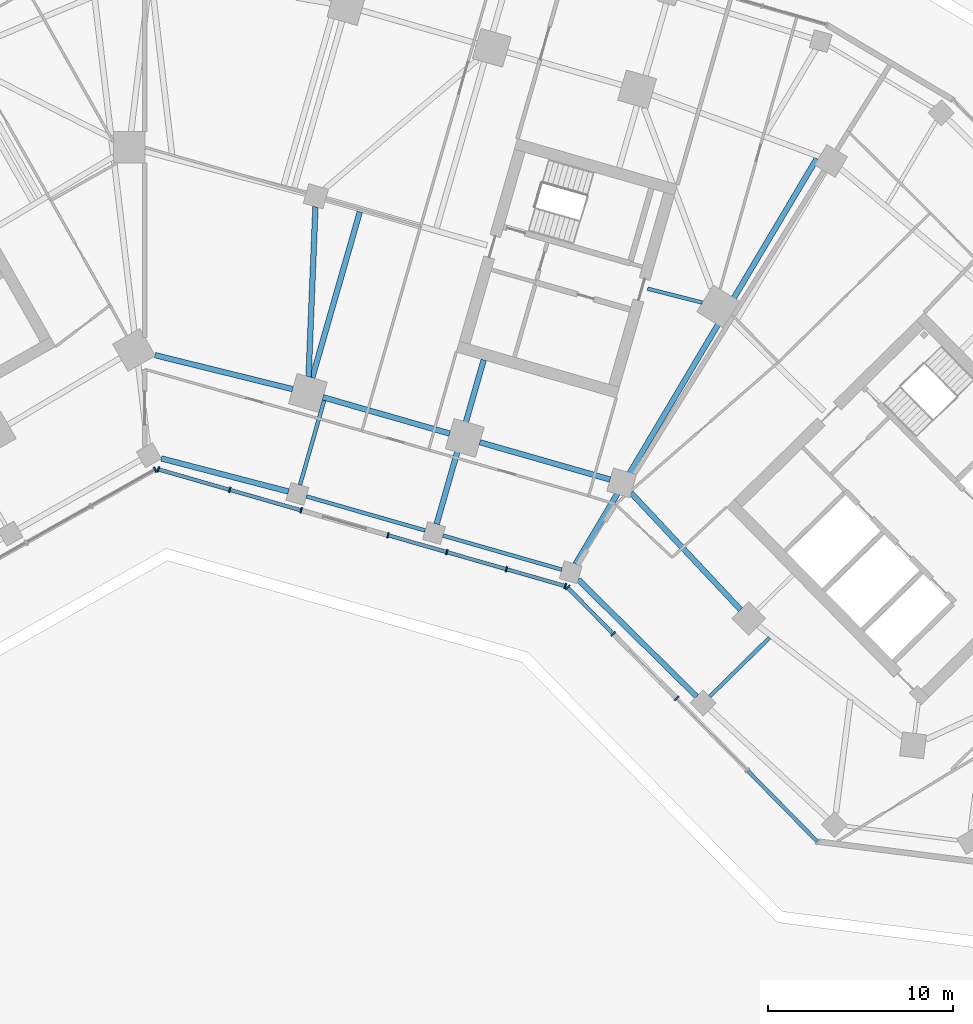
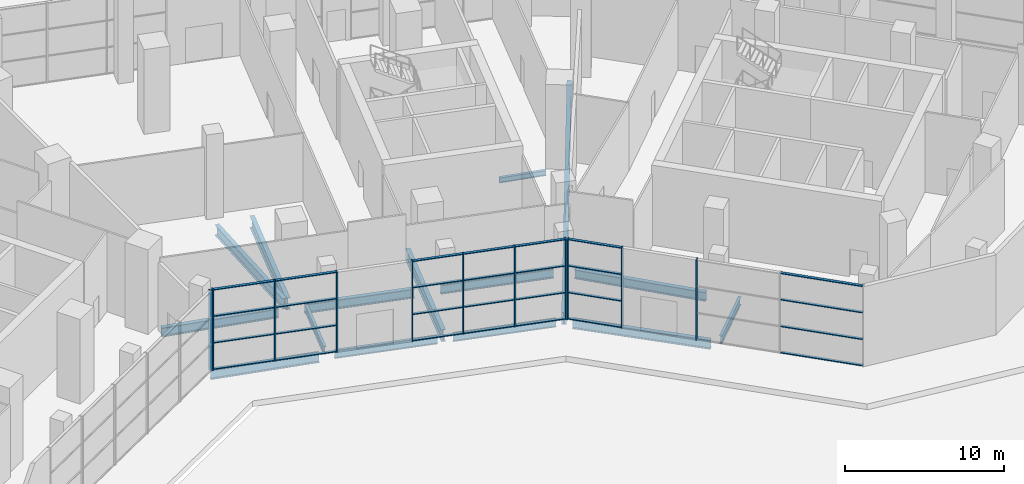
# One storey, part 6 of 22: 39 members, 15 beams, 5 elements without a shape of their own.
"""IFC4 building model written with IfcOpenShell, lengths in metres."""

from ifc_helpers import new_model, si_unit, direction, frame, origin, origin_2d, place, context, subcontext, project, spatial, rectangle, i_section, extrude, material, material_profile, profile_set, type_object, element, aggregate, save


model = new_model("IFC4")

# Units and contexts
model_context = context("Model", 3, precision=1e-05, world=origin(), true_north=direction((0.0, 1.0)))
body_context = subcontext(model_context, "Body", "Model", "MODEL_VIEW")
ifc_project = project(units=[si_unit("LENGTHUNIT", "METRE"), si_unit("AREAUNIT", "SQUARE_METRE"), si_unit("VOLUMEUNIT", "CUBIC_METRE"), si_unit("PLANEANGLEUNIT", "RADIAN"), si_unit("MASSUNIT", "GRAM", prefix="KILO")], contexts=[model_context])

# Site, building, storey
site_placement = place(None, origin())
site = spatial("IfcSite", under=ifc_project, at=site_placement, CompositionType="ELEMENT")
building_placement = place(site_placement, origin())
building = spatial("IfcBuilding", under=site, at=building_placement, Name="Binnacle Exchange Tower", CompositionType="ELEMENT")
storey_placement = place(building_placement, origin())
storey = spatial("IfcBuildingStorey", under=building, at=storey_placement, Name="L00", CompositionType="ELEMENT", Elevation=0.0)

# Curtain wall, member
ifc_material_1 = material(Name="Bronze anodised aluminium frame", Category="aluminium")
curtain_wall_type = type_object("IfcCurtainWallType", Name="External wall - curtain wall waterfront lobby", PredefinedType="NOTDEFINED", material=ifc_material_1)
curtain_wall_1_placement = place(storey_placement, origin())
curtain_wall_1 = element("IfcCurtainWall", 1, at=curtain_wall_1_placement, inside=storey, type_object=curtain_wall_type, Name="External wall curtain wall CW1-P06-3 L00", PredefinedType="NOTDEFINED")
ifc_material_profile_1 = material_profile(ifc_material_1, rectangle(XDim=0.300048828125, YDim=0.080078125, at=origin_2d()), Name="AL 80x300")
ifc_profile_set_1 = profile_set([ifc_material_profile_1], Name="Bronze anodised aluminium frame")
member_type_1 = type_object("IfcMemberType", Name="CW1 MULLION 80x300", PredefinedType="MULLION", material=ifc_profile_set_1)
member_1_placement = place(storey_placement, frame((0.556884765625, 42.5703125, 0.0), z_axis=(0.0, 0.0, 1.0), x_axis=(-0.492423763004, 0.870355581144, 0.0)))
member_1 = element("IfcMember", 2, at=member_1_placement, type_object=member_type_1, Name="CW1-P06-3 mullion 6", PredefinedType="MULLION", context=body_context, shape_type="SweptSolid", body=[
    extrude(rectangle(XDim=0.300048828125, YDim=0.080078125, at=origin_2d()), origin(), (0.0, 0.0, 1.0), 6.14990234375),
])
aggregate(curtain_wall_1, [member_1])

# Curtain wall, members
curtain_wall_2_placement = place(storey_placement, origin())
curtain_wall_2 = element("IfcCurtainWall", 3, at=curtain_wall_2_placement, inside=storey, type_object=curtain_wall_type, Name="External wall curtain wall CW1-P07-1 L00", PredefinedType="NOTDEFINED")
member_2_placement = place(storey_placement, frame((0.72607421875, 42.59033203125, 0.0), z_axis=(0.0, 0.0, 1.0), x_axis=(0.275636946471, 0.961261813316, 0.0)))
member_2 = element("IfcMember", 4, at=member_2_placement, type_object=member_type_1, Name="CW1-P07-1 mullion 1", PredefinedType="MULLION", context=body_context, shape_type="SweptSolid", body=[
    extrude(rectangle(XDim=0.300048828125, YDim=0.080078125, at=origin_2d()), origin(), (0.0, 0.0, 1.0), 6.14990234375),
])
member_3_placement = place(storey_placement, frame((4.586181640625, 41.4833984375, 0.0), z_axis=(0.0, 0.0, 1.0), x_axis=(0.275636946471, 0.961261813316, 0.0)))
member_3 = element("IfcMember", 5, at=member_3_placement, type_object=member_type_1, Name="CW1-P07-1 mullion 2", PredefinedType="MULLION", context=body_context, shape_type="SweptSolid", body=[
    extrude(rectangle(XDim=0.300048828125, YDim=0.080078125, at=origin_2d()), origin(), (0.0, 0.0, 1.0), 6.14990234375),
])
member_4_placement = place(storey_placement, frame((8.4462890625, 40.376708984375, 0.0), z_axis=(0.0, 0.0, 1.0), x_axis=(0.275636946471, 0.961261813316, 0.0)))
member_4 = element("IfcMember", 6, at=member_4_placement, type_object=member_type_1, Name="CW1-P07-1 mullion 3", PredefinedType="MULLION", context=body_context, shape_type="SweptSolid", body=[
    extrude(rectangle(XDim=0.300048828125, YDim=0.080078125, at=origin_2d()), origin(), (0.0, 0.0, 1.0), 6.14990234375),
])

curtain_wall_3_placement = place(storey_placement, origin())
curtain_wall_3 = element("IfcCurtainWall", 7, at=curtain_wall_3_placement, inside=storey, type_object=curtain_wall_type, Name="External wall curtain wall CW1-P07-2 L00", PredefinedType="NOTDEFINED")
member_5_placement = place(storey_placement, frame((13.13720703125, 39.031494140625, 0.0), z_axis=(0.0, 0.0, 1.0), x_axis=(0.275636946437, 0.961261813326, 0.0)))
member_5 = element("IfcMember", 8, at=member_5_placement, type_object=member_type_1, Name="CW1-P07-2 mullion 1", PredefinedType="MULLION", context=body_context, shape_type="SweptSolid", body=[
    extrude(rectangle(XDim=0.300048828125, YDim=0.080078125, at=origin_2d()), origin(), (0.0, 0.0, 1.0), 6.14990234375),
])
member_6_placement = place(storey_placement, frame((16.319580078125, 38.118896484375, 0.0), z_axis=(0.0, 0.0, 1.0), x_axis=(0.275636946437, 0.961261813326, 0.0)))
member_6 = element("IfcMember", 9, at=member_6_placement, type_object=member_type_1, Name="CW1-P07-2 mullion 2", PredefinedType="MULLION", context=body_context, shape_type="SweptSolid", body=[
    extrude(rectangle(XDim=0.300048828125, YDim=0.080078125, at=origin_2d()), origin(), (0.0, 0.0, 1.0), 6.14990234375),
])
member_7_placement = place(storey_placement, frame((19.540283203125, 37.195556640625, 0.0), z_axis=(0.0, 0.0, 1.0), x_axis=(0.275636946437, 0.961261813326, 0.0)))
member_7 = element("IfcMember", 10, at=member_7_placement, type_object=member_type_1, Name="CW1-P07-2 mullion 3", PredefinedType="MULLION", context=body_context, shape_type="SweptSolid", body=[
    extrude(rectangle(XDim=0.300048828125, YDim=0.080078125, at=origin_2d()), origin(), (0.0, 0.0, 1.0), 6.14990234375),
])
member_8_placement = place(storey_placement, frame((22.722412109375, 36.282958984375, 0.0), z_axis=(0.0, 0.0, 1.0), x_axis=(0.275636946437, 0.961261813326, 0.0)))
member_8 = element("IfcMember", 11, at=member_8_placement, type_object=member_type_1, Name="CW1-P07-2 mullion 4", PredefinedType="MULLION", context=body_context, shape_type="SweptSolid", body=[
    extrude(rectangle(XDim=0.300048828125, YDim=0.080078125, at=origin_2d()), origin(), (0.0, 0.0, 1.0), 6.14990234375),
])

curtain_wall_4_placement = place(storey_placement, origin())
curtain_wall_4 = element("IfcCurtainWall", 12, at=curtain_wall_4_placement, inside=storey, type_object=curtain_wall_type, Name="External wall curtain wall CW1-P08-1 L00", PredefinedType="NOTDEFINED")
member_9_placement = place(storey_placement, frame((22.843505859375, 36.210693359375, 0.0), z_axis=(0.0, 0.0, 1.0), x_axis=(0.713250360562, 0.700909354452, 0.0)))
member_9 = element("IfcMember", 13, at=member_9_placement, type_object=member_type_1, Name="CW1-P08-1 mullion 1", PredefinedType="MULLION", context=body_context, shape_type="SweptSolid", body=[
    extrude(rectangle(XDim=0.300048828125, YDim=0.080078125, at=origin_2d()), origin(), (0.0, 0.0, 1.0), 6.14990234375),
])
member_10_placement = place(storey_placement, frame((25.31591796875, 33.695068359375, 0.0), z_axis=(0.0, 0.0, 1.0), x_axis=(0.713250360562, 0.700909354452, 0.0)))
member_10 = element("IfcMember", 14, at=member_10_placement, type_object=member_type_1, Name="CW1-P08-1 mullion 2", PredefinedType="MULLION", context=body_context, shape_type="SweptSolid", body=[
    extrude(rectangle(XDim=0.300048828125, YDim=0.080078125, at=origin_2d()), origin(), (0.0, 0.0, 1.0), 6.14990234375),
])

# Curtain wall, member
curtain_wall_5_placement = place(storey_placement, origin())
curtain_wall_5 = element("IfcCurtainWall", 15, at=curtain_wall_5_placement, inside=storey, type_object=curtain_wall_type, Name="External wall curtain wall CW1-P08-2 L00", PredefinedType="NOTDEFINED")
member_11_placement = place(storey_placement, frame((28.736328125, 30.21435546875, 0.0), z_axis=(0.0, 0.0, 1.0), x_axis=(0.713250360635, 0.700909354378, 0.0)))
member_11 = element("IfcMember", 16, at=member_11_placement, type_object=member_type_1, Name="CW1-P08-2 mullion 1", PredefinedType="MULLION", context=body_context, shape_type="SweptSolid", body=[
    extrude(rectangle(XDim=0.300048828125, YDim=0.080078125, at=origin_2d()), origin(), (0.0, 0.0, 1.0), 6.14990234375),
])

# Member
ifc_material_profile_2 = material_profile(ifc_material_1, rectangle(XDim=0.199951171875, YDim=0.06005859375, at=origin_2d()), Name="AL 200x60")
ifc_profile_set_2 = profile_set([ifc_material_profile_2], Name="Bronze anodised aluminium frame")
member_type_2 = type_object("IfcMemberType", Name="CW1 TRANSOM 60x200", PredefinedType="USERDEFINED", material=ifc_profile_set_2)
member_12_placement = place(storey_placement, frame((0.7646484375, 42.579345703125, 0.030029296875), z_axis=(0.961251940506, -0.275671374781, 0.0), x_axis=(0.275671374781, 0.961251940506, 0.0)))
member_12 = element("IfcMember", 17, at=member_12_placement, type_object=member_type_2, Name="CW1-P07-1 transom 1.1", ObjectType="TRANSOM", PredefinedType="USERDEFINED", context=body_context, shape_type="SweptSolid", body=[
    extrude(rectangle(XDim=0.199951171875, YDim=0.06005859375, at=origin_2d()), origin(), (0.0, 0.0, 1.0), 3.935791015625),
])

member_13_placement = place(storey_placement, frame((0.7646484375, 42.579345703125, 2.050048828125), z_axis=(0.961251940506, -0.275671374781, 0.0), x_axis=(0.275671374781, 0.961251940506, 0.0)))
member_13 = element("IfcMember", 18, at=member_13_placement, type_object=member_type_2, Name="CW1-P07-1 transom 1.2", ObjectType="TRANSOM", PredefinedType="USERDEFINED", context=body_context, shape_type="SweptSolid", body=[
    extrude(rectangle(XDim=0.199951171875, YDim=0.06005859375, at=origin_2d()), origin(), (0.0, 0.0, 1.0), 3.935791015625),
])

member_14_placement = place(storey_placement, frame((0.7646484375, 42.579345703125, 4.10009765625), z_axis=(0.961251940506, -0.275671374781, 0.0), x_axis=(0.275671374781, 0.961251940506, 0.0)))
member_14 = element("IfcMember", 19, at=member_14_placement, type_object=member_type_2, Name="CW1-P07-1 transom 1.3", ObjectType="TRANSOM", PredefinedType="USERDEFINED", context=body_context, shape_type="SweptSolid", body=[
    extrude(rectangle(XDim=0.199951171875, YDim=0.06005859375, at=origin_2d()), origin(), (0.0, 0.0, 1.0), 3.935791015625),
])

member_15_placement = place(storey_placement, frame((0.7646484375, 42.579345703125, 6.1201171875), z_axis=(0.961251940506, -0.275671374781, 0.0), x_axis=(0.275671374781, 0.961251940506, 0.0)))
member_15 = element("IfcMember", 20, at=member_15_placement, type_object=member_type_2, Name="CW1-P07-1 transom 1.4", ObjectType="TRANSOM", PredefinedType="USERDEFINED", context=body_context, shape_type="SweptSolid", body=[
    extrude(rectangle(XDim=0.199951171875, YDim=0.06005859375, at=origin_2d()), origin(), (0.0, 0.0, 1.0), 3.935791015625),
])

member_16_placement = place(storey_placement, frame((4.624755859375, 41.472412109375, 0.030029296875), z_axis=(0.961268376985, -0.275614055172, 0.0), x_axis=(0.275614055172, 0.961268376985, 0.0)))
member_16 = element("IfcMember", 21, at=member_16_placement, type_object=member_type_2, Name="CW1-P07-1 transom 2.1", ObjectType="TRANSOM", PredefinedType="USERDEFINED", context=body_context, shape_type="SweptSolid", body=[
    extrude(rectangle(XDim=0.199951171875, YDim=0.06005859375, at=origin_2d()), origin(), (0.0, 0.0, 1.0), 3.935546875),
])

member_17_placement = place(storey_placement, frame((4.624755859375, 41.472412109375, 2.050048828125), z_axis=(0.961268376985, -0.275614055172, 0.0), x_axis=(0.275614055172, 0.961268376985, 0.0)))
member_17 = element("IfcMember", 22, at=member_17_placement, type_object=member_type_2, Name="CW1-P07-1 transom 2.2", ObjectType="TRANSOM", PredefinedType="USERDEFINED", context=body_context, shape_type="SweptSolid", body=[
    extrude(rectangle(XDim=0.199951171875, YDim=0.06005859375, at=origin_2d()), origin(), (0.0, 0.0, 1.0), 3.935546875),
])

member_18_placement = place(storey_placement, frame((4.624755859375, 41.472412109375, 4.10009765625), z_axis=(0.961268376985, -0.275614055172, 0.0), x_axis=(0.275614055172, 0.961268376985, 0.0)))
member_18 = element("IfcMember", 23, at=member_18_placement, type_object=member_type_2, Name="CW1-P07-1 transom 2.3", ObjectType="TRANSOM", PredefinedType="USERDEFINED", context=body_context, shape_type="SweptSolid", body=[
    extrude(rectangle(XDim=0.199951171875, YDim=0.06005859375, at=origin_2d()), origin(), (0.0, 0.0, 1.0), 3.935546875),
])

member_19_placement = place(storey_placement, frame((4.624755859375, 41.472412109375, 6.1201171875), z_axis=(0.961268376985, -0.275614055172, 0.0), x_axis=(0.275614055172, 0.961268376985, 0.0)))
member_19 = element("IfcMember", 24, at=member_19_placement, type_object=member_type_2, Name="CW1-P07-1 transom 2.4", ObjectType="TRANSOM", PredefinedType="USERDEFINED", context=body_context, shape_type="SweptSolid", body=[
    extrude(rectangle(XDim=0.199951171875, YDim=0.06005859375, at=origin_2d()), origin(), (0.0, 0.0, 1.0), 3.935546875),
])

aggregate(curtain_wall_2, [member_2, member_3, member_4, member_12, member_13, member_14, member_15, member_16, member_17, member_18, member_19])

member_20_placement = place(storey_placement, frame((13.17578125, 39.0205078125, 0.030029296875), z_axis=(0.961263989982, -0.27562935541, 0.0), x_axis=(0.27562935541, 0.961263989982, 0.0)))
member_20 = element("IfcMember", 25, at=member_20_placement, type_object=member_type_2, Name="CW1-P07-2 transom 1.1", ObjectType="TRANSOM", PredefinedType="USERDEFINED", context=body_context, shape_type="SweptSolid", body=[
    extrude(rectangle(XDim=0.199951171875, YDim=0.06005859375, at=origin_2d()), origin(), (0.0, 0.0, 1.0), 3.23046875),
])

member_21_placement = place(storey_placement, frame((13.17578125, 39.0205078125, 2.050048828125), z_axis=(0.961263989982, -0.27562935541, 0.0), x_axis=(0.27562935541, 0.961263989982, 0.0)))
member_21 = element("IfcMember", 26, at=member_21_placement, type_object=member_type_2, Name="CW1-P07-2 transom 1.2", ObjectType="TRANSOM", PredefinedType="USERDEFINED", context=body_context, shape_type="SweptSolid", body=[
    extrude(rectangle(XDim=0.199951171875, YDim=0.06005859375, at=origin_2d()), origin(), (0.0, 0.0, 1.0), 3.23046875),
])

member_22_placement = place(storey_placement, frame((13.17578125, 39.0205078125, 4.10009765625), z_axis=(0.961263989982, -0.27562935541, 0.0), x_axis=(0.27562935541, 0.961263989982, 0.0)))
member_22 = element("IfcMember", 27, at=member_22_placement, type_object=member_type_2, Name="CW1-P07-2 transom 1.3", ObjectType="TRANSOM", PredefinedType="USERDEFINED", context=body_context, shape_type="SweptSolid", body=[
    extrude(rectangle(XDim=0.199951171875, YDim=0.06005859375, at=origin_2d()), origin(), (0.0, 0.0, 1.0), 3.23046875),
])

member_23_placement = place(storey_placement, frame((13.17578125, 39.0205078125, 6.1201171875), z_axis=(0.961263989982, -0.27562935541, 0.0), x_axis=(0.27562935541, 0.961263989982, 0.0)))
member_23 = element("IfcMember", 28, at=member_23_placement, type_object=member_type_2, Name="CW1-P07-2 transom 1.4", ObjectType="TRANSOM", PredefinedType="USERDEFINED", context=body_context, shape_type="SweptSolid", body=[
    extrude(rectangle(XDim=0.199951171875, YDim=0.06005859375, at=origin_2d()), origin(), (0.0, 0.0, 1.0), 3.23046875),
])

member_24_placement = place(storey_placement, frame((16.35791015625, 38.10791015625, 0.030029296875), z_axis=(0.961270009372, -0.275608361777, 0.0), x_axis=(0.275608361777, 0.961270009372, 0.0)))
member_24 = element("IfcMember", 29, at=member_24_placement, type_object=member_type_2, Name="CW1-P07-2 transom 2.1", ObjectType="TRANSOM", PredefinedType="USERDEFINED", context=body_context, shape_type="SweptSolid", body=[
    extrude(rectangle(XDim=0.199951171875, YDim=0.06005859375, at=origin_2d()), origin(), (0.0, 0.0, 1.0), 3.2705078125),
])

member_25_placement = place(storey_placement, frame((16.35791015625, 38.10791015625, 2.050048828125), z_axis=(0.961270009372, -0.275608361777, 0.0), x_axis=(0.275608361777, 0.961270009372, 0.0)))
member_25 = element("IfcMember", 30, at=member_25_placement, type_object=member_type_2, Name="CW1-P07-2 transom 2.2", ObjectType="TRANSOM", PredefinedType="USERDEFINED", context=body_context, shape_type="SweptSolid", body=[
    extrude(rectangle(XDim=0.199951171875, YDim=0.06005859375, at=origin_2d()), origin(), (0.0, 0.0, 1.0), 3.2705078125),
])

member_26_placement = place(storey_placement, frame((16.35791015625, 38.10791015625, 4.10009765625), z_axis=(0.961270009372, -0.275608361777, 0.0), x_axis=(0.275608361777, 0.961270009372, 0.0)))
member_26 = element("IfcMember", 31, at=member_26_placement, type_object=member_type_2, Name="CW1-P07-2 transom 2.3", ObjectType="TRANSOM", PredefinedType="USERDEFINED", context=body_context, shape_type="SweptSolid", body=[
    extrude(rectangle(XDim=0.199951171875, YDim=0.06005859375, at=origin_2d()), origin(), (0.0, 0.0, 1.0), 3.2705078125),
])

member_27_placement = place(storey_placement, frame((16.35791015625, 38.10791015625, 6.1201171875), z_axis=(0.961270009372, -0.275608361777, 0.0), x_axis=(0.275608361777, 0.961270009372, 0.0)))
member_27 = element("IfcMember", 32, at=member_27_placement, type_object=member_type_2, Name="CW1-P07-2 transom 2.4", ObjectType="TRANSOM", PredefinedType="USERDEFINED", context=body_context, shape_type="SweptSolid", body=[
    extrude(rectangle(XDim=0.199951171875, YDim=0.06005859375, at=origin_2d()), origin(), (0.0, 0.0, 1.0), 3.2705078125),
])

member_28_placement = place(storey_placement, frame((19.57861328125, 37.1845703125, 0.030029296875), z_axis=(0.961249707405, -0.275679161369, 0.0), x_axis=(0.275679161369, 0.961249707405, 0.0)))
member_28 = element("IfcMember", 33, at=member_28_placement, type_object=member_type_2, Name="CW1-P07-2 transom 3.1", ObjectType="TRANSOM", PredefinedType="USERDEFINED", context=body_context, shape_type="SweptSolid", body=[
    extrude(rectangle(XDim=0.199951171875, YDim=0.06005859375, at=origin_2d()), origin(), (0.0, 0.0, 1.0), 3.230712890625),
])

member_29_placement = place(storey_placement, frame((19.57861328125, 37.1845703125, 2.050048828125), z_axis=(0.961249707405, -0.275679161369, 0.0), x_axis=(0.275679161369, 0.961249707405, 0.0)))
member_29 = element("IfcMember", 34, at=member_29_placement, type_object=member_type_2, Name="CW1-P07-2 transom 3.2", ObjectType="TRANSOM", PredefinedType="USERDEFINED", context=body_context, shape_type="SweptSolid", body=[
    extrude(rectangle(XDim=0.199951171875, YDim=0.06005859375, at=origin_2d()), origin(), (0.0, 0.0, 1.0), 3.230712890625),
])

member_30_placement = place(storey_placement, frame((19.57861328125, 37.1845703125, 4.10009765625), z_axis=(0.961249707405, -0.275679161369, 0.0), x_axis=(0.275679161369, 0.961249707405, 0.0)))
member_30 = element("IfcMember", 35, at=member_30_placement, type_object=member_type_2, Name="CW1-P07-2 transom 3.3", ObjectType="TRANSOM", PredefinedType="USERDEFINED", context=body_context, shape_type="SweptSolid", body=[
    extrude(rectangle(XDim=0.199951171875, YDim=0.06005859375, at=origin_2d()), origin(), (0.0, 0.0, 1.0), 3.230712890625),
])

member_31_placement = place(storey_placement, frame((19.57861328125, 37.1845703125, 6.1201171875), z_axis=(0.961249707405, -0.275679161369, 0.0), x_axis=(0.275679161369, 0.961249707405, 0.0)))
member_31 = element("IfcMember", 36, at=member_31_placement, type_object=member_type_2, Name="CW1-P07-2 transom 3.4", ObjectType="TRANSOM", PredefinedType="USERDEFINED", context=body_context, shape_type="SweptSolid", body=[
    extrude(rectangle(XDim=0.199951171875, YDim=0.06005859375, at=origin_2d()), origin(), (0.0, 0.0, 1.0), 3.230712890625),
])

aggregate(curtain_wall_3, [member_5, member_6, member_7, member_8, member_20, member_21, member_22, member_23, member_24, member_25, member_26, member_27, member_28, member_29, member_30, member_31])

member_32_placement = place(storey_placement, frame((22.87158203125, 36.182373046875, 0.030029296875), z_axis=(0.700918482647, -0.713241390193, 0.0), x_axis=(0.713241390193, 0.700918482647, 0.0)))
member_32 = element("IfcMember", 37, at=member_32_placement, type_object=member_type_2, Name="CW1-P08-1 transom 1.1", ObjectType="TRANSOM", PredefinedType="USERDEFINED", context=body_context, shape_type="SweptSolid", body=[
    extrude(rectangle(XDim=0.199951171875, YDim=0.06005859375, at=origin_2d()), origin(), (0.0, 0.0, 1.0), 3.447265625),
])

member_33_placement = place(storey_placement, frame((22.87158203125, 36.182373046875, 2.050048828125), z_axis=(0.700918482647, -0.713241390193, 0.0), x_axis=(0.713241390193, 0.700918482647, 0.0)))
member_33 = element("IfcMember", 38, at=member_33_placement, type_object=member_type_2, Name="CW1-P08-1 transom 1.2", ObjectType="TRANSOM", PredefinedType="USERDEFINED", context=body_context, shape_type="SweptSolid", body=[
    extrude(rectangle(XDim=0.199951171875, YDim=0.06005859375, at=origin_2d()), origin(), (0.0, 0.0, 1.0), 3.447265625),
])

member_34_placement = place(storey_placement, frame((22.87158203125, 36.182373046875, 4.10009765625), z_axis=(0.700918482647, -0.713241390193, 0.0), x_axis=(0.713241390193, 0.700918482647, 0.0)))
member_34 = element("IfcMember", 39, at=member_34_placement, type_object=member_type_2, Name="CW1-P08-1 transom 1.3", ObjectType="TRANSOM", PredefinedType="USERDEFINED", context=body_context, shape_type="SweptSolid", body=[
    extrude(rectangle(XDim=0.199951171875, YDim=0.06005859375, at=origin_2d()), origin(), (0.0, 0.0, 1.0), 3.447265625),
])

member_35_placement = place(storey_placement, frame((22.87158203125, 36.182373046875, 6.1201171875), z_axis=(0.700918482647, -0.713241390193, 0.0), x_axis=(0.713241390193, 0.700918482647, 0.0)))
member_35 = element("IfcMember", 40, at=member_35_placement, type_object=member_type_2, Name="CW1-P08-1 transom 1.4", ObjectType="TRANSOM", PredefinedType="USERDEFINED", context=body_context, shape_type="SweptSolid", body=[
    extrude(rectangle(XDim=0.199951171875, YDim=0.06005859375, at=origin_2d()), origin(), (0.0, 0.0, 1.0), 3.447265625),
])

aggregate(curtain_wall_4, [member_9, member_10, member_32, member_33, member_34, member_35])

member_36_placement = place(storey_placement, frame((32.581298828125, 26.301513671875, 0.030029296875), z_axis=(0.700937911473, -0.713222296524, 0.0), x_axis=(0.713222296524, 0.700937911473, 0.0)))
member_36 = element("IfcMember", 41, at=member_36_placement, type_object=member_type_2, Name="CW1-P08-2 transom 2.1", ObjectType="TRANSOM", PredefinedType="USERDEFINED", context=body_context, shape_type="SweptSolid", body=[
    extrude(rectangle(XDim=0.199951171875, YDim=0.06005859375, at=origin_2d()), origin(), (0.0, 0.0, 1.0), 5.365966796875),
])

member_37_placement = place(storey_placement, frame((32.581298828125, 26.301513671875, 2.050048828125), z_axis=(0.700937911473, -0.713222296524, 0.0), x_axis=(0.713222296524, 0.700937911473, 0.0)))
member_37 = element("IfcMember", 42, at=member_37_placement, type_object=member_type_2, Name="CW1-P08-2 transom 2.2", ObjectType="TRANSOM", PredefinedType="USERDEFINED", context=body_context, shape_type="SweptSolid", body=[
    extrude(rectangle(XDim=0.199951171875, YDim=0.06005859375, at=origin_2d()), origin(), (0.0, 0.0, 1.0), 5.365966796875),
])

member_38_placement = place(storey_placement, frame((32.581298828125, 26.301513671875, 4.10009765625), z_axis=(0.700937911473, -0.713222296524, 0.0), x_axis=(0.713222296524, 0.700937911473, 0.0)))
member_38 = element("IfcMember", 43, at=member_38_placement, type_object=member_type_2, Name="CW1-P08-2 transom 2.3", ObjectType="TRANSOM", PredefinedType="USERDEFINED", context=body_context, shape_type="SweptSolid", body=[
    extrude(rectangle(XDim=0.199951171875, YDim=0.06005859375, at=origin_2d()), origin(), (0.0, 0.0, 1.0), 5.365966796875),
])

member_39_placement = place(storey_placement, frame((32.581298828125, 26.301513671875, 6.1201171875), z_axis=(0.700937911473, -0.713222296524, 0.0), x_axis=(0.713222296524, 0.700937911473, 0.0)))
member_39 = element("IfcMember", 44, at=member_39_placement, type_object=member_type_2, Name="CW1-P08-2 transom 2.4", ObjectType="TRANSOM", PredefinedType="USERDEFINED", context=body_context, shape_type="SweptSolid", body=[
    extrude(rectangle(XDim=0.199951171875, YDim=0.06005859375, at=origin_2d()), origin(), (0.0, 0.0, 1.0), 5.365966796875),
])

aggregate(curtain_wall_5, [member_11, member_36, member_37, member_38, member_39])

# Beams
ifc_material_2 = material(Name="Steel S355 (SHN355)", Category="steel")
ifc_material_profile_3 = material_profile(ifc_material_2, i_section(OverallWidth=0.201904296875, OverallDepth=0.612060546875, WebThickness=0.012939453125, FlangeThickness=0.02294921875, FilletRadius=0.02197265625, at=origin_2d()), Name="H 612x202x13x23")
ifc_profile_set_3 = profile_set([ifc_material_profile_3], Name="Steel S355 (SHN355)")
beam_type_1 = type_object("IfcBeamType", Name="Edge girder H 612x202x13x23 Steel S355 (SHN355)", PredefinedType="SPANDREL", material=ifc_profile_set_3)
beam_1_placement = place(storey_placement, frame((15.1474609375, 39.287353515625, -0.756103515625), z_axis=(-0.961262967186, 0.275632922412, 0.0), x_axis=(-0.275632922412, -0.961262967186, 0.0)))
element("IfcBeam", 45, at=beam_1_placement, inside=storey, type_object=beam_type_1, Name="S:BM:edge:L00:051", PredefinedType="SPANDREL", context=body_context, shape_type="SweptSolid", body=[
    extrude(i_section(OverallWidth=0.201904296875, OverallDepth=0.612060546875, WebThickness=0.012939453125, FlangeThickness=0.02294921875, FilletRadius=0.02197265625, at=origin_2d()), origin(), (0.0, 0.0, 1.0), 6.682861328125),
])
beam_2_placement = place(storey_placement, frame((22.532470703125, 37.169677734375, -0.756103515625), z_axis=(-0.961260191586, 0.275642602064, 0.0), x_axis=(-0.275642602064, -0.961260191586, 0.0)))
element("IfcBeam", 46, at=beam_2_placement, inside=storey, type_object=beam_type_1, Name="S:BM:edge:L00:055", PredefinedType="SPANDREL", context=body_context, shape_type="SweptSolid", body=[
    extrude(i_section(OverallWidth=0.201904296875, OverallDepth=0.612060546875, WebThickness=0.012939453125, FlangeThickness=0.02294921875, FilletRadius=0.02197265625, at=origin_2d()), origin(), (0.0, 0.0, 1.0), 6.6826171875),
])
ifc_material_profile_4 = material_profile(ifc_material_2, i_section(OverallWidth=0.300048828125, OverallDepth=0.699951171875, WebThickness=0.012939453125, FlangeThickness=0.02392578125, FilletRadius=0.028076171875, at=origin_2d()), Name="H 700x300x13x24")
ifc_profile_set_4 = profile_set([ifc_material_profile_4], Name="Steel S355 (SHN355)")
beam_type_2 = type_object("IfcBeamType", Name="Edge girder H 700x300x13x24 Steel S355 (SHN355)", PredefinedType="SPANDREL", material=ifc_profile_set_4)
beam_3_placement = place(storey_placement, frame((0.54443359375, 48.763916015625, -0.800048828125), z_axis=(0.970818997342, -0.239813415805, 0.0), x_axis=(0.239813415805, 0.970818997342, 0.0)))
element("IfcBeam", 47, at=beam_3_placement, inside=storey, type_object=beam_type_2, Name="S:BM:edge:L00:045", PredefinedType="SPANDREL", context=body_context, shape_type="SweptSolid", body=[
    extrude(i_section(OverallWidth=0.300048828125, OverallDepth=0.699951171875, WebThickness=0.012939453125, FlangeThickness=0.02392578125, FilletRadius=0.028076171875, at=origin_2d()), origin(), (0.0, 0.0, 1.0), 7.662841796875),
])
beam_4_placement = place(storey_placement, frame((7.7587890625, 41.393310546875, -0.800048828125), z_axis=(-0.967768014177, 0.251843345627, 0.0), x_axis=(-0.251843345627, -0.967768014177, 0.0)))
element("IfcBeam", 48, at=beam_4_placement, inside=storey, type_object=beam_type_2, Name="S:BM:edge:L00:047", PredefinedType="SPANDREL", context=body_context, shape_type="SweptSolid", body=[
    extrude(i_section(OverallWidth=0.300048828125, OverallDepth=0.699951171875, WebThickness=0.012939453125, FlangeThickness=0.02392578125, FilletRadius=0.028076171875, at=origin_2d()), origin(), (0.0, 0.0, 1.0), 7.09521484375),
])
beam_5_placement = place(storey_placement, frame((9.626708984375, 46.488037109375, -0.800048828125), z_axis=(0.961260850036, -0.275640305812, 0.0), x_axis=(0.275640305812, 0.961260850036, 0.0)))
element("IfcBeam", 49, at=beam_5_placement, inside=storey, type_object=beam_type_2, Name="S:BM:edge:L00:048", PredefinedType="SPANDREL", context=body_context, shape_type="SweptSolid", body=[
    extrude(i_section(OverallWidth=0.300048828125, OverallDepth=0.699951171875, WebThickness=0.012939453125, FlangeThickness=0.02392578125, FilletRadius=0.028076171875, at=origin_2d()), origin(), (0.0, 0.0, 1.0), 7.120361328125),
])
beam_6_placement = place(storey_placement, frame((18.105224609375, 44.056884765625, -0.800048828125), z_axis=(0.96126047873, -0.275641600691, 0.0), x_axis=(0.275641600691, 0.96126047873, 0.0)))
element("IfcBeam", 50, at=beam_6_placement, inside=storey, type_object=beam_type_2, Name="S:BM:edge:L00:053", PredefinedType="SPANDREL", context=body_context, shape_type="SweptSolid", body=[
    extrude(i_section(OverallWidth=0.300048828125, OverallDepth=0.699951171875, WebThickness=0.012939453125, FlangeThickness=0.02392578125, FilletRadius=0.028076171875, at=origin_2d()), origin(), (0.0, 0.0, 1.0), 7.320556640625),
])
beam_7_placement = place(storey_placement, frame((26.284912109375, 41.3076171875, -0.800048828125), z_axis=(0.684056711164, -0.729428828544, 0.0), x_axis=(0.729428828544, 0.684056711164, 0.0)))
element("IfcBeam", 51, at=beam_7_placement, inside=storey, type_object=beam_type_2, Name="S:BM:edge:L00:057", PredefinedType="SPANDREL", context=body_context, shape_type="SweptSolid", body=[
    extrude(i_section(OverallWidth=0.300048828125, OverallDepth=0.699951171875, WebThickness=0.012939453125, FlangeThickness=0.02392578125, FilletRadius=0.028076171875, at=origin_2d()), origin(), (0.0, 0.0, 1.0), 8.6416015625),
])
beam_8_placement = place(storey_placement, frame((29.81640625, 30.31689453125, -0.800048828125), z_axis=(-0.711708607818, 0.702474809198, 0.0), x_axis=(-0.702474809198, -0.711708607818, 0.0)))
element("IfcBeam", 52, at=beam_8_placement, inside=storey, type_object=beam_type_2, Name="S:BM:edge:L00:059", PredefinedType="SPANDREL", context=body_context, shape_type="SweptSolid", body=[
    extrude(i_section(OverallWidth=0.300048828125, OverallDepth=0.699951171875, WebThickness=0.012939453125, FlangeThickness=0.02392578125, FilletRadius=0.028076171875, at=origin_2d()), origin(), (0.0, 0.0, 1.0), 8.989501953125),
])
ifc_material_profile_5 = material_profile(ifc_material_2, i_section(OverallWidth=0.200927734375, OverallDepth=0.60595703125, WebThickness=0.011962890625, FlangeThickness=0.02001953125, FilletRadius=0.02197265625, at=origin_2d()), Name="H 606x201x12x20")
ifc_profile_set_5 = profile_set([ifc_material_profile_5], Name="Steel S355 (SHN355)")
beam_type_3 = type_object("IfcBeamType", Name="Floor beam H 606x201x12x20 Steel S355 (SHN355)", PredefinedType="BEAM", material=ifc_profile_set_5)
beam_9_placement = place(storey_placement, frame((8.380615234375, 41.747802734375, -0.7529296875), z_axis=(0.275651024235, 0.961257776477, 0.0), x_axis=(-0.961257776477, 0.275651024235, 0.0)))
element("IfcBeam", 53, at=beam_9_placement, inside=storey, type_object=beam_type_3, Name="S:BM:cross:L00:105", PredefinedType="BEAM", context=body_context, shape_type="SweptSolid", body=[
    extrude(i_section(OverallWidth=0.200927734375, OverallDepth=0.60595703125, WebThickness=0.011962890625, FlangeThickness=0.02001953125, FilletRadius=0.02197265625, at=origin_2d()), origin(), (0.0, 0.0, 1.0), 4.75),
])
beam_10_placement = place(storey_placement, frame((30.529052734375, 30.316162109375, -0.7529296875), z_axis=(0.713237882923, 0.700922051561, 0.0), x_axis=(-0.700922051561, 0.713237882923, 0.0)))
element("IfcBeam", 54, at=beam_10_placement, inside=storey, type_object=beam_type_3, Name="S:BM:cross:L00:113", PredefinedType="BEAM", context=body_context, shape_type="SweptSolid", body=[
    extrude(i_section(OverallWidth=0.200927734375, OverallDepth=0.60595703125, WebThickness=0.011962890625, FlangeThickness=0.02001953125, FilletRadius=0.02197265625, at=origin_2d()), origin(), (0.0, 0.0, 1.0), 4.519775390625),
])
ifc_material_profile_6 = material_profile(ifc_material_2, i_section(OverallWidth=0.302001953125, OverallDepth=0.912109375, WebThickness=0.01806640625, FlangeThickness=0.033935546875, FilletRadius=0.028076171875, at=origin_2d()), Name="H 912x302x18x34")
ifc_profile_set_6 = profile_set([ifc_material_profile_6], Name="Steel S355 (SHN355)")
beam_type_4 = type_object("IfcBeamType", Name="Floor beam H 912x302x18x34 Steel S355 (SHN355)", PredefinedType="BEAM", material=ifc_profile_set_6)
beam_11_placement = place(storey_placement, frame((9.043701171875, 47.539306640625, -0.906005859375), z_axis=(0.275646698205, 0.961259017003, 0.0), x_axis=(-0.961259017003, 0.275646698205, 0.0)))
element("IfcBeam", 55, at=beam_11_placement, inside=storey, type_object=beam_type_4, Name="S:BM:cross:L00:106", PredefinedType="BEAM", context=body_context, shape_type="SweptSolid", body=[
    extrude(i_section(OverallWidth=0.302001953125, OverallDepth=0.912109375, WebThickness=0.01806640625, FlangeThickness=0.033935546875, FilletRadius=0.028076171875, at=origin_2d()), origin(), (0.0, 0.0, 1.0), 9.335205078125),
])
beam_12_placement = place(storey_placement, frame((15.765869140625, 39.630126953125, -0.906005859375), z_axis=(0.2756218268, 0.961266148677, 0.0), x_axis=(-0.961266148677, 0.2756218268, 0.0)))
element("IfcBeam", 56, at=beam_12_placement, inside=storey, type_object=beam_type_4, Name="S:BM:cross:L00:109", PredefinedType="BEAM", context=body_context, shape_type="SweptSolid", body=[
    extrude(i_section(OverallWidth=0.302001953125, OverallDepth=0.912109375, WebThickness=0.01806640625, FlangeThickness=0.033935546875, FilletRadius=0.028076171875, at=origin_2d()), origin(), (0.0, 0.0, 1.0), 9.235107421875),
])
ifc_material_profile_7 = material_profile(ifc_material_2, i_section(OverallWidth=0.302978515625, OverallDepth=0.91796875, WebThickness=0.01904296875, FlangeThickness=0.037109375, FilletRadius=0.028076171875, at=origin_2d()), Name="H 918x303x19x37")
ifc_profile_set_7 = profile_set([ifc_material_profile_7], Name="Steel S355 (SHN355)")
beam_type_5 = type_object("IfcBeamType", Name="Floor beam H 918x303x19x37 Steel S355 (SHN355)", PredefinedType="BEAM", material=ifc_profile_set_7)
beam_13_placement = place(storey_placement, frame((23.277587890625, 37.476318359375, -0.908935546875), z_axis=(0.511288746337, 0.859408993361, 0.0), x_axis=(-0.859408993361, 0.511288746337, 0.0)))
element("IfcBeam", 57, at=beam_13_placement, inside=storey, type_object=beam_type_5, Name="S:BM:cross:L00:111", PredefinedType="BEAM", context=body_context, shape_type="SweptSolid", body=[
    extrude(i_section(OverallWidth=0.302978515625, OverallDepth=0.91796875, WebThickness=0.01904296875, FlangeThickness=0.037109375, FilletRadius=0.028076171875, at=origin_2d()), origin(), (0.0, 0.0, 1.0), 25.49755859375),
])
ifc_material_profile_8 = material_profile(ifc_material_2, i_section(OverallWidth=0.199951171875, OverallDepth=0.39990234375, WebThickness=0.008056640625, FlangeThickness=0.012939453125, FilletRadius=0.01611328125, at=origin_2d()), Name="H 400x200x8x13")
ifc_profile_set_8 = profile_set([ifc_material_profile_8], Name="Steel S355 (SHN355)")
beam_type_6 = type_object("IfcBeamType", Name="Spine girder H 400x200x8x13 Steel S355 (SHN355)", PredefinedType="BEAM", material=ifc_profile_set_8)
beam_14_placement = place(storey_placement, frame((27.17138671875, 52.35400390625, -0.64990234375), z_axis=(0.969359627701, -0.245645908136, 0.0), x_axis=(0.245645908136, 0.969359627701, 0.0)))
element("IfcBeam", 58, at=beam_14_placement, inside=storey, type_object=beam_type_6, Name="S:BM:spine:L00:010", PredefinedType="BEAM", context=body_context, shape_type="SweptSolid", body=[
    extrude(i_section(OverallWidth=0.199951171875, OverallDepth=0.39990234375, WebThickness=0.008056640625, FlangeThickness=0.012939453125, FilletRadius=0.01611328125, at=origin_2d()), origin(), (0.0, 0.0, 1.0), 3.046142578125),
])
ifc_material_profile_9 = material_profile(ifc_material_2, i_section(OverallWidth=0.302001953125, OverallDepth=0.80810546875, WebThickness=0.01611328125, FlangeThickness=0.030029296875, FilletRadius=0.028076171875, at=origin_2d()), Name="H 808x302x16x30")
ifc_profile_set_9 = profile_set([ifc_material_profile_9], Name="Steel S355 (SHN355)")
beam_type_7 = type_object("IfcBeamType", Name="Spine girder H 808x302x16x30 Steel S355 (SHN355)", PredefinedType="BEAM", material=ifc_profile_set_9)
beam_15_placement = place(storey_placement, frame((9.218017578125, 56.78466796875, -0.85400390625), z_axis=(-0.040567083206, -0.999176817065, 0.0), x_axis=(0.999176817065, -0.040567083206, 0.0)))
element("IfcBeam", 59, at=beam_15_placement, inside=storey, type_object=beam_type_7, Name="S:BM:spine:L00:007", PredefinedType="BEAM", context=body_context, shape_type="SweptSolid", body=[
    extrude(i_section(OverallWidth=0.302001953125, OverallDepth=0.80810546875, WebThickness=0.01611328125, FlangeThickness=0.030029296875, FilletRadius=0.028076171875, at=origin_2d()), origin(), (0.0, 0.0, 1.0), 9.19580078125),
])

save(model, "model.ifc")
